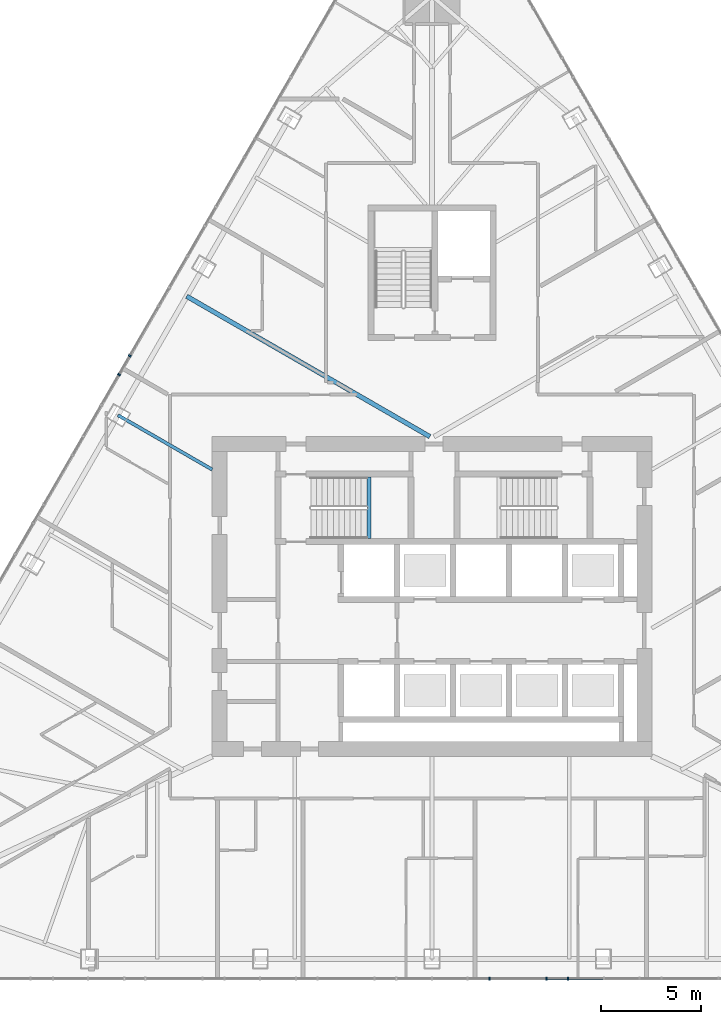
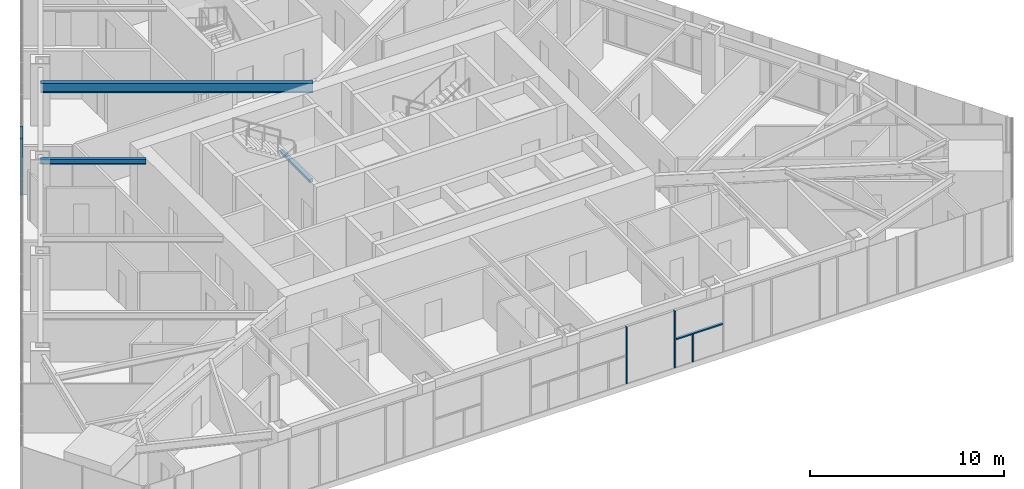
# One storey, part 6 of 24: 6 members, 3 beams, 2 elements without a shape of their own.
"""IFC4 building model written with IfcOpenShell, lengths in metres."""

from ifc_helpers import new_model, si_unit, direction, frame, origin, origin_2d, place, context, subcontext, project, spatial, rectangle, i_section, extrude, material, layer, layer_set, material_profile, profile_set, type_object, element, aggregate, save


model = new_model("IFC4")

# Units and contexts
model_context = context("Model", 3, precision=1e-05, world=origin(), true_north=direction((0.0, 1.0)))
body_context = subcontext(model_context, "Body", "Model", "MODEL_VIEW")
ifc_project = project(units=[si_unit("LENGTHUNIT", "METRE"), si_unit("AREAUNIT", "SQUARE_METRE"), si_unit("VOLUMEUNIT", "CUBIC_METRE"), si_unit("PLANEANGLEUNIT", "RADIAN"), si_unit("MASSUNIT", "GRAM", prefix="KILO")], contexts=[model_context])

# Site, building, storey
site_placement = place(None, origin())
site = spatial("IfcSite", under=ifc_project, at=site_placement, CompositionType="ELEMENT")
building_placement = place(site_placement, origin())
building = spatial("IfcBuilding", under=site, at=building_placement, Name="Firuza Gate Tower and Library", CompositionType="ELEMENT")
storey_placement = place(building_placement, frame((0.0, 0.0, 206.5)))
storey = spatial("IfcBuildingStorey", under=building, at=storey_placement, Name="L48", CompositionType="ELEMENT", Elevation=206.5)

# Curtain wall, members
ifc_material_1 = material(Name="Aluminium 6063-T6", Category="aluminium")
ifc_layer = layer(ifc_material_1, 0.14990234375)
ifc_layer_set = layer_set([ifc_layer], Name="Unitised curtain wall, hotel")
curtain_wall_type = type_object("IfcCurtainWallType", Name="Unitised curtain wall, hotel", PredefinedType="NOTDEFINED", material=ifc_layer_set)
placement = place(storey_placement, origin())
curtain_wall_1 = element("IfcCurtainWall", 1, at=placement, inside=storey, type_object=curtain_wall_type, Name="CW2 L48 S face", PredefinedType="NOTDEFINED")
ifc_material_2 = material(Name="Aluminium 6063-T6", Category="aluminium")
ifc_material_profile_1 = material_profile(ifc_material_2, rectangle(XDim=0.14990234375, YDim=0.080078125, at=origin_2d()))
ifc_profile_set_1 = profile_set([ifc_material_profile_1], Name="Aluminium 6063-T6")
member_type_1 = type_object("IfcMemberType", Name="Curtain wall mullion 80x150", PredefinedType="MULLION", material=ifc_profile_set_1)
member_1_placement = place(storey_placement, frame((77.869384765625, 55.88330078125, 0.14990234375), z_axis=(0.0, 0.0, 1.0), x_axis=(0.0, 1.0, 0.0)))
member_1 = element("IfcMember", 2, at=member_1_placement, type_object=member_type_1, Name="Mullion", PredefinedType="MULLION", context=body_context, shape_type="SweptSolid", body=[
    extrude(rectangle(XDim=0.14990234375, YDim=0.080078125, at=origin_2d()), origin(), (0.0, 0.0, 1.0), 3.550048828125),
])
member_2_placement = place(storey_placement, frame((80.73876953125, 55.88330078125, 0.14990234375), z_axis=(0.0, 0.0, 1.0), x_axis=(0.0, 1.0, 0.0)))
member_2 = element("IfcMember", 3, at=member_2_placement, type_object=member_type_1, Name="Mullion", PredefinedType="MULLION", context=body_context, shape_type="SweptSolid", body=[
    extrude(rectangle(XDim=0.14990234375, YDim=0.080078125, at=origin_2d()), origin(), (0.0, 0.0, 1.0), 3.550048828125),
])
member_3_placement = place(storey_placement, frame((81.807373046875, 55.88330078125, 0.14990234375), z_axis=(0.0, 0.0, 1.0), x_axis=(0.0, 1.0, 0.0)))
member_3 = element("IfcMember", 4, at=member_3_placement, type_object=member_type_1, Name="Mullion", PredefinedType="MULLION", context=body_context, shape_type="SweptSolid", body=[
    extrude(rectangle(XDim=0.14990234375, YDim=0.080078125, at=origin_2d()), origin(), (0.0, 0.0, 1.0), 1.735107421875),
])

curtain_wall_2 = element("IfcCurtainWall", 5, at=placement, inside=storey, type_object=curtain_wall_type, Name="CW2 L48 W face", PredefinedType="NOTDEFINED")
member_4_placement = place(storey_placement, frame((59.879150390625, 87.043212890625, 0.14990234375), z_axis=(0.0, 0.0, 1.0), x_axis=(0.866025403784, -0.5, 0.0)))
member_4 = element("IfcMember", 6, at=member_4_placement, type_object=member_type_1, Name="Mullion", PredefinedType="MULLION", context=body_context, shape_type="SweptSolid", body=[
    extrude(rectangle(XDim=0.14990234375, YDim=0.080078125, at=origin_2d()), origin(), (0.0, 0.0, 1.0), 3.550048828125),
])
member_5_placement = place(storey_placement, frame((59.337646484375, 86.10546875, 0.14990234375), z_axis=(0.0, 0.0, 1.0), x_axis=(0.866025403784, -0.5, 0.0)))
member_5 = element("IfcMember", 7, at=member_5_placement, type_object=member_type_1, Name="Mullion", PredefinedType="MULLION", context=body_context, shape_type="SweptSolid", body=[
    extrude(rectangle(XDim=0.14990234375, YDim=0.080078125, at=origin_2d()), origin(), (0.0, 0.0, 1.0), 3.550048828125),
])
aggregate(curtain_wall_2, [member_4, member_5])

# Member
ifc_material_3 = material(Name="Aluminium 6063-T6", Category="aluminium")
ifc_material_profile_2 = material_profile(ifc_material_3, rectangle(XDim=0.14990234375, YDim=0.080078125, at=origin_2d()))
ifc_profile_set_2 = profile_set([ifc_material_profile_2], Name="Aluminium 6063-T6")
member_type_2 = type_object("IfcMemberType", Name="Curtain wall transom 80x150", PredefinedType="USERDEFINED", material=ifc_profile_set_2)
member_6_placement = place(storey_placement, frame((80.77880859375, 55.88330078125, 1.925048828125), z_axis=(1.0, 0.0, 0.0), x_axis=(0.0, 1.0, 0.0)))
member_6 = element("IfcMember", 8, at=member_6_placement, type_object=member_type_2, Name="Transom", ObjectType="TRANSOM", PredefinedType="USERDEFINED", context=body_context, shape_type="SweptSolid", body=[
    extrude(rectangle(XDim=0.14990234375, YDim=0.080078125, at=origin_2d()), origin(), (0.0, 0.0, 1.0), 2.789306640625),
])

aggregate(curtain_wall_1, [member_1, member_2, member_3, member_6])

# Beams
ifc_material_4 = material(Name="Concrete C35/45", Category="concrete")
ifc_material_profile_3 = material_profile(ifc_material_4, rectangle(XDim=0.199951171875, YDim=0.199951171875, at=origin_2d()))
ifc_profile_set_3 = profile_set([ifc_material_profile_3], Name="Concrete C35/45")
beam_type_1 = type_object("IfcBeamType", Name="Stair landing bearer 200x200", PredefinedType="BEAM", material=ifc_profile_set_3)
beam_1_placement = place(storey_placement, frame((71.840087890625, 77.89990234375, 1.64990234375), z_axis=(0.0, 1.0, 0.0), x_axis=(-1.0, 0.0, 0.0)))
element("IfcBeam", 9, at=beam_1_placement, inside=storey, type_object=beam_type_1, Name="Landing bearer L48 stair 1", PredefinedType="BEAM", context=body_context, shape_type="SweptSolid", body=[
    extrude(rectangle(XDim=0.199951171875, YDim=0.199951171875, at=origin_2d()), origin(), (0.0, 0.0, 1.0), 3.080078125),
])
ifc_material_5 = material(Name="Steel S355", Category="steel")
ifc_material_profile_4 = material_profile(ifc_material_5, i_section(OverallWidth=0.1650390625, OverallDepth=0.31005859375, WebThickness=0.005859375, FlangeThickness=0.009765625, at=origin_2d()))
ifc_profile_set_4 = profile_set([ifc_material_profile_4], Name="Steel S355")
beam_type_2 = type_object("IfcBeamType", Name="W310x39 Floor beam", PredefinedType="JOIST", material=ifc_profile_set_4)
beam_2_placement = place(storey_placement, frame((59.288818359375, 84.07080078125, 3.544921875), z_axis=(0.866027894023, -0.499995686755, 0.0), x_axis=(0.499995686755, 0.866027894023, 0.0)))
element("IfcBeam", 10, at=beam_2_placement, inside=storey, type_object=beam_type_2, Name="Floor beam L48 s82", PredefinedType="JOIST", context=body_context, shape_type="SweptSolid", body=[
    extrude(i_section(OverallWidth=0.1650390625, OverallDepth=0.31005859375, WebThickness=0.005859375, FlangeThickness=0.009765625, at=origin_2d()), origin(), (0.0, 0.0, 1.0), 5.43994140625),
])
ifc_material_6 = material(Name="Steel S355", Category="steel")
ifc_material_profile_5 = material_profile(ifc_material_6, i_section(OverallWidth=0.22802734375, OverallDepth=0.60302734375, WebThickness=0.010498046875, FlangeThickness=0.014892578125, at=origin_2d()))
ifc_profile_set_5 = profile_set([ifc_material_profile_5], Name="Steel S355")
beam_type_3 = type_object("IfcBeamType", Name="W610x101 Floor beam", PredefinedType="JOIST", material=ifc_profile_set_5)
beam_3_placement = place(storey_placement, frame((62.726318359375, 90.024658203125, 3.3984375), z_axis=(0.866028453965, -0.499994716896, 0.0), x_axis=(0.499994716896, 0.866028453965, 0.0)))
element("IfcBeam", 11, at=beam_3_placement, inside=storey, type_object=beam_type_3, Name="Floor beam L48 s81", PredefinedType="JOIST", context=body_context, shape_type="SweptSolid", body=[
    extrude(i_section(OverallWidth=0.22802734375, OverallDepth=0.60302734375, WebThickness=0.010498046875, FlangeThickness=0.014892578125, at=origin_2d()), origin(), (0.0, 0.0, 1.0), 14.049560546875),
])

save(model, "model.ifc")
